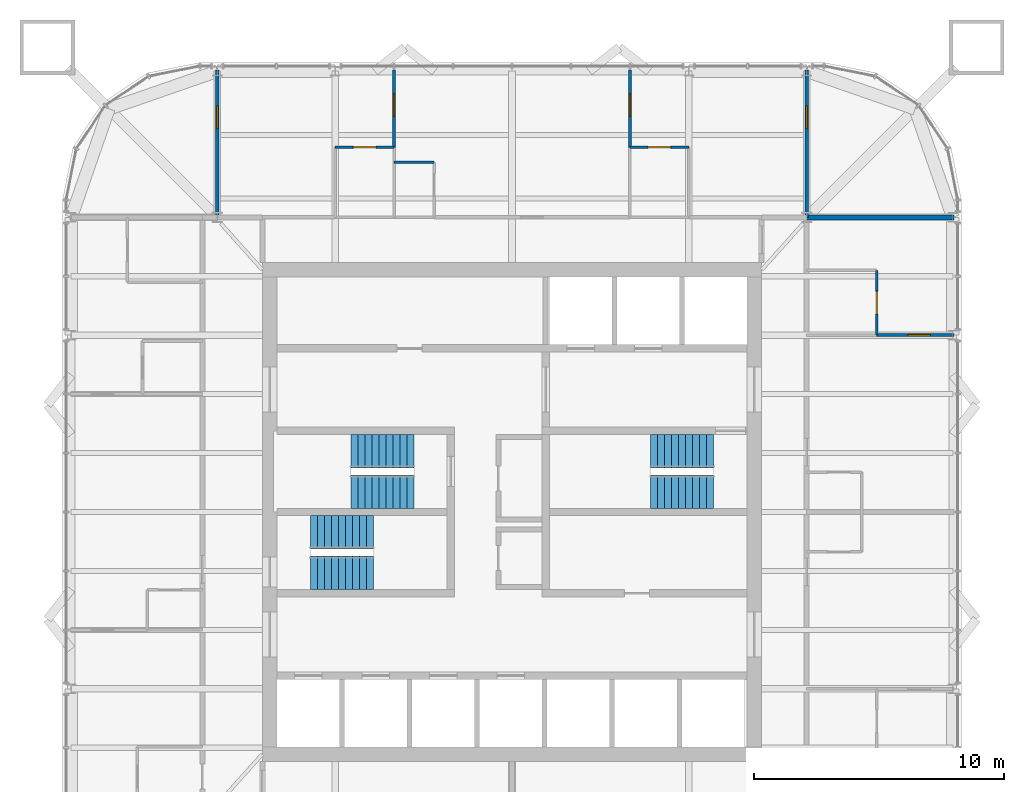
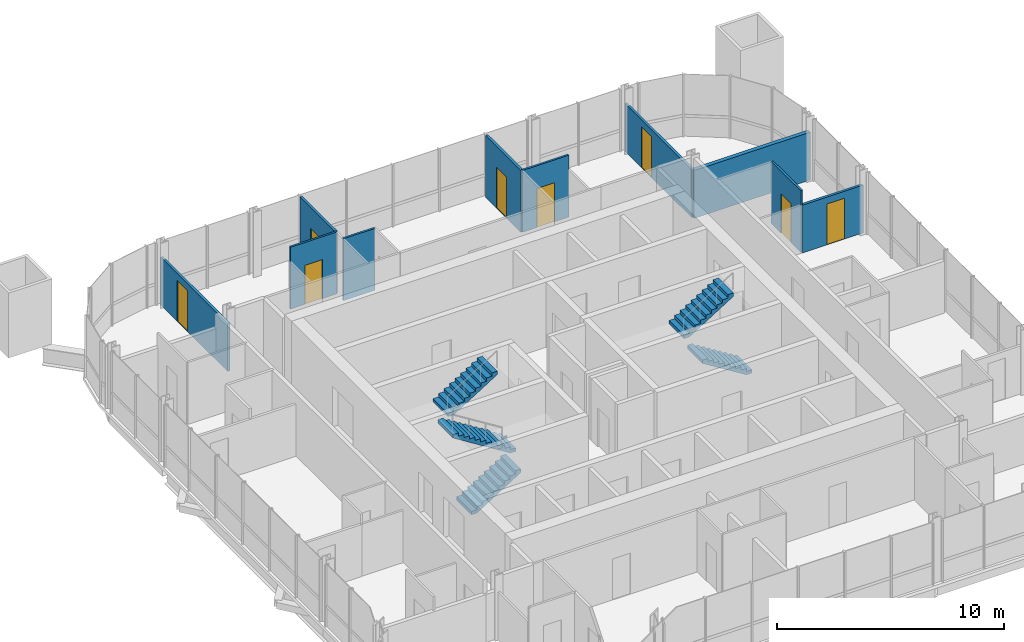
# One storey, part 16 of 17: 10 walls, 8 doors, 6 stair flights, 8 openings, 3 elements without a shape of their own.
"""IFC4 building model written with IfcOpenShell, lengths in metres."""

from ifc_helpers import new_model, si_unit, direction, frame, frame_2d, origin, place, context, subcontext, project, spatial, polyline, rectangle, outline, extrude, material, layer, layer_set, type_object, element, fill, aggregate, save


model = new_model("IFC4")

# Units and contexts
model_context = context("Model", 3, precision=1e-05, world=origin(), true_north=direction((0.0, 1.0)))
body_context = subcontext(model_context, "Body", "Model", "MODEL_VIEW")
ifc_project = project(units=[si_unit("LENGTHUNIT", "METRE"), si_unit("AREAUNIT", "SQUARE_METRE"), si_unit("VOLUMEUNIT", "CUBIC_METRE"), si_unit("PLANEANGLEUNIT", "RADIAN"), si_unit("MASSUNIT", "GRAM", prefix="KILO")], contexts=[model_context])

# Site, building, storey
site_placement = place(None, origin())
site = spatial("IfcSite", under=ifc_project, at=site_placement, CompositionType="ELEMENT")
building_placement = place(site_placement, origin())
building = spatial("IfcBuilding", under=site, at=building_placement, Name="Turquesa Mirador Hotel Tower", CompositionType="ELEMENT")
storey_placement = place(building_placement, frame((0.0, 0.0, 244.199951171875)))
storey = spatial("IfcBuildingStorey", under=building, at=storey_placement, Name="L66", CompositionType="ELEMENT", Elevation=244.199951171875)

# Wall
ifc_material_1 = material(Name="Gypsum board on steel studs", Category="steel")
ifc_layer_1 = layer(ifc_material_1, 0.10009765625)
ifc_layer_set_1 = layer_set([ifc_layer_1], Name="BATHROOM WALL 100")
wall_type_1 = type_object("IfcWallType", Name="BATHROOM WALL 100", PredefinedType="PARTITIONING", material=ifc_layer_set_1)
wall_1_placement = place(storey_placement, frame((50.280029296875, 59.0, 0.0), z_axis=(0.0, 0.0, 1.0), x_axis=(1.0, 0.0, 0.0)))
element("IfcWall", 1, at=wall_1_placement, inside=storey, type_object=wall_type_1, Name="Partition L66 032", PredefinedType="PARTITIONING", context=body_context, shape_type="SweptSolid", body=[
    extrude(rectangle(XDim=1.599853515625, YDim=0.10009765625, at=frame_2d((0.7998046875, 0.0))), origin(), (0.0, 0.0, 1.0), 3.330078125),
])

# Wall, opening, door
wall_2_placement = place(storey_placement, frame((47.919921875, 59.60009765625, 0.0), z_axis=(0.0, 0.0, 1.0), x_axis=(1.0, 0.0, 0.0)))
wall_2 = element("IfcWall", 2, at=wall_2_placement, inside=storey, type_object=wall_type_1, Name="Partition L66 033", PredefinedType="PARTITIONING", context=body_context, shape_type="SweptSolid", body=[
    extrude(rectangle(XDim=2.360107421875, YDim=0.10009765625, at=frame_2d((1.18017578125, 0.0))), origin(), (0.0, 0.0, 1.0), 3.330078125),
])
opening_1_placement = place(wall_2_placement, frame((0.72998046875, 0.0, 0.0)))
opening_1 = element("IfcOpeningElement", 3, at=opening_1_placement, cuts=wall_2, Name="Opening D02", PredefinedType="OPENING", context=body_context, shape_type="SweptSolid", body=[
    extrude(rectangle(XDim=0.89990234375, YDim=2.10009765625, at=frame_2d((0.449951171875, 1.050048828125))), frame((0.0, 0.06005859375, 0.0), z_axis=(0.0, -1.0, 0.0), x_axis=(1.0, 0.0, 0.0)), (0.0, 0.0, 1.0), 0.1201171875),
])
ifc_material_2 = material(Name="Timber veneered door", Category="wood")
door_type_1 = type_object("IfcDoorType", Name="DOOR 900X2100 EN-SUITE", OperationType="SINGLE_SWING_RIGHT", PredefinedType="DOOR", material=ifc_material_2)
door_1_placement = place(opening_1_placement, origin())
door_1 = element("IfcDoor", 4, at=door_1_placement, inside=storey, type_object=door_type_1, Name="Door 6601B", OperationType="SINGLE_SWING_RIGHT", OverallHeight=2.10009765625, OverallWidth=0.89990234375, PredefinedType="DOOR", context=body_context, shape_type="SweptSolid", body=[
    extrude(rectangle(XDim=0.89990234375, YDim=2.10009765625, at=frame_2d((0.449951171875, 1.050048828125))), frame((0.0, 0.02490234375, 0.0), z_axis=(0.0, -1.0, 0.0), x_axis=(1.0, 0.0, 0.0)), (0.0, 0.0, 1.0), 0.050048828125),
])
fill(opening_1, door_1)

wall_3_placement = place(storey_placement, frame((59.719970703125, 59.60009765625, 0.0), z_axis=(0.0, 0.0, 1.0), x_axis=(1.0, 0.0, 0.0)))
wall_3 = element("IfcWall", 5, at=wall_3_placement, inside=storey, type_object=wall_type_1, Name="Partition L66 034", PredefinedType="PARTITIONING", context=body_context, shape_type="SweptSolid", body=[
    extrude(rectangle(XDim=2.360107421875, YDim=0.10009765625, at=frame_2d((1.18017578125, 0.0))), origin(), (0.0, 0.0, 1.0), 3.330078125),
])
opening_2_placement = place(wall_3_placement, frame((0.72998046875, 0.0, 0.0)))
opening_2 = element("IfcOpeningElement", 6, at=opening_2_placement, cuts=wall_3, Name="Opening D02", PredefinedType="OPENING", context=body_context, shape_type="SweptSolid", body=[
    extrude(rectangle(XDim=0.89990234375, YDim=2.10009765625, at=frame_2d((0.449951171875, 1.050048828125))), frame((0.0, 0.06005859375, 0.0), z_axis=(0.0, -1.0, 0.0), x_axis=(1.0, 0.0, 0.0)), (0.0, 0.0, 1.0), 0.1201171875),
])
door_2_placement = place(opening_2_placement, origin())
door_2 = element("IfcDoor", 7, at=door_2_placement, inside=storey, type_object=door_type_1, Name="Door 6601E", OperationType="SINGLE_SWING_RIGHT", OverallHeight=2.10009765625, OverallWidth=0.89990234375, PredefinedType="DOOR", context=body_context, shape_type="SweptSolid", body=[
    extrude(rectangle(XDim=0.89990234375, YDim=2.10009765625, at=frame_2d((0.449951171875, 1.050048828125))), frame((0.0, 0.02490234375, 0.0), z_axis=(0.0, -1.0, 0.0), x_axis=(1.0, 0.0, 0.0)), (0.0, 0.0, 1.0), 0.050048828125),
])
fill(opening_2, door_2)

wall_4_placement = place(storey_placement, frame((69.60009765625, 52.080078125, 0.0), z_axis=(0.0, 0.0, 1.0), x_axis=(0.0, 1.0, 0.0)))
wall_4 = element("IfcWall", 8, at=wall_4_placement, inside=storey, type_object=wall_type_1, Name="Partition L66 066", PredefinedType="PARTITIONING", context=body_context, shape_type="SweptSolid", body=[
    extrude(rectangle(XDim=2.599853515625, YDim=0.10009765625, at=frame_2d((1.2998046875, 0.0))), origin(), (0.0, 0.0, 1.0), 3.330078125),
])
opening_3_placement = place(wall_4_placement, frame((0.85009765625, 0.0, 0.0)))
opening_3 = element("IfcOpeningElement", 9, at=opening_3_placement, cuts=wall_4, Name="Opening D02", PredefinedType="OPENING", context=body_context, shape_type="SweptSolid", body=[
    extrude(rectangle(XDim=0.89990234375, YDim=2.10009765625, at=frame_2d((0.449951171875, 1.050048828125))), frame((0.0, 0.06005859375, 0.0), z_axis=(0.0, -1.0, 0.0), x_axis=(1.0, 0.0, 0.0)), (0.0, 0.0, 1.0), 0.1201171875),
])
door_3_placement = place(opening_3_placement, origin())
door_3 = element("IfcDoor", 10, at=door_3_placement, inside=storey, type_object=door_type_1, Name="Door 6605B", OperationType="SINGLE_SWING_RIGHT", OverallHeight=2.10009765625, OverallWidth=0.89990234375, PredefinedType="DOOR", context=body_context, shape_type="SweptSolid", body=[
    extrude(rectangle(XDim=0.89990234375, YDim=2.10009765625, at=frame_2d((0.449951171875, 1.050048828125))), frame((0.0, 0.02490234375, 0.0), z_axis=(0.0, -1.0, 0.0), x_axis=(1.0, 0.0, 0.0)), (0.0, 0.0, 1.0), 0.050048828125),
])
fill(opening_3, door_3)

# Wall
ifc_material_3 = material(Name="Fire-rated gypsum board on steel studs", Category="steel")
ifc_layer_2 = layer(ifc_material_3, 0.199951171875)
ifc_layer_set_2 = layer_set([ifc_layer_2], Name="PARTY WALL 200")
wall_type_2 = type_object("IfcWallType", Name="PARTY WALL 200", PredefinedType="PARTITIONING", material=ifc_layer_set_2)
wall_5_placement = place(storey_placement, frame((66.800048828125, 56.800048828125, 0.0), z_axis=(0.0, 0.0, 1.0), x_axis=(1.0, 0.0, 0.0)))
element("IfcWall", 11, at=wall_5_placement, inside=storey, type_object=wall_type_2, Name="Partition L66 028", PredefinedType="PARTITIONING", context=body_context, shape_type="SweptSolid", body=[
    extrude(rectangle(XDim=5.89990234375, YDim=0.199951171875, at=frame_2d((2.949951171875, 0.0))), origin(), (0.0, 0.0, 1.0), 2.5732421875),
])

# Wall, opening, door
ifc_material_4 = material(Name="Acoustic gypsum board on steel studs", Category="steel")
ifc_layer_3 = layer(ifc_material_4, 0.125)
ifc_layer_set_3 = layer_set([ifc_layer_3], Name="SUITE PARTITION 125")
wall_type_3 = type_object("IfcWallType", Name="SUITE PARTITION 125", PredefinedType="PARTITIONING", material=ifc_layer_set_3)
wall_6_placement = place(storey_placement, frame((69.60009765625, 52.080078125, 0.0), z_axis=(0.0, 0.0, 1.0), x_axis=(1.0, 0.0, 0.0)))
wall_6 = element("IfcWall", 12, at=wall_6_placement, inside=storey, type_object=wall_type_3, Name="Partition L66 038", PredefinedType="PARTITIONING", context=body_context, shape_type="SweptSolid", body=[
    extrude(rectangle(XDim=3.099853515625, YDim=0.125, at=frame_2d((1.5498046875, 0.0))), origin(), (0.0, 0.0, 1.0), 2.5732421875),
])
opening_4_placement = place(wall_6_placement, frame((1.25, 0.0, 0.0)))
opening_4 = element("IfcOpeningElement", 13, at=opening_4_placement, cuts=wall_6, Name="Opening D17", PredefinedType="OPENING", context=body_context, shape_type="SweptSolid", body=[
    extrude(rectangle(XDim=0.89990234375, YDim=2.199951171875, at=frame_2d((0.449951171875, 1.10009765625))), frame((0.0, 0.072509765625, 0.0), z_axis=(0.0, -1.0, 0.0), x_axis=(1.0, 0.0, 0.0)), (0.0, 0.0, 1.0), 0.14501953125),
])
ifc_material_5 = material(Name="Timber veneered door", Category="wood")
door_type_2 = type_object("IfcDoorType", Name="DOOR 900X2200 SUITE INTERNAL", OperationType="SINGLE_SWING_LEFT", PredefinedType="DOOR", material=ifc_material_5)
door_4_placement = place(opening_4_placement, origin())
door_4 = element("IfcDoor", 14, at=door_4_placement, inside=storey, type_object=door_type_2, Name="Door 6605R", OperationType="SINGLE_SWING_LEFT", OverallHeight=2.199951171875, OverallWidth=0.89990234375, PredefinedType="DOOR", context=body_context, shape_type="SweptSolid", body=[
    extrude(rectangle(XDim=0.89990234375, YDim=2.199951171875, at=frame_2d((0.449951171875, 1.10009765625))), frame((0.0, 0.02490234375, 0.0), z_axis=(0.0, -1.0, 0.0), x_axis=(1.0, 0.0, 0.0)), (0.0, 0.0, 1.0), 0.050048828125),
])
fill(opening_4, door_4)

wall_7_placement = place(storey_placement, frame((43.199951171875, 56.800048828125, 0.0), z_axis=(0.0, 0.0, 1.0), x_axis=(0.0, 1.0, 0.0)))
wall_7 = element("IfcWall", 15, at=wall_7_placement, inside=storey, type_object=wall_type_3, Name="Partition L66 045", PredefinedType="PARTITIONING", context=body_context, shape_type="SweptSolid", body=[
    extrude(rectangle(XDim=5.89990234375, YDim=0.125, at=frame_2d((2.949951171875, 0.0))), origin(), (0.0, 0.0, 1.0), 2.5732421875),
])
opening_5_placement = place(wall_7_placement, frame((3.550048828125, 0.0, 0.0)))
opening_5 = element("IfcOpeningElement", 16, at=opening_5_placement, cuts=wall_7, Name="Opening D17", PredefinedType="OPENING", context=body_context, shape_type="SweptSolid", body=[
    extrude(rectangle(XDim=0.89990234375, YDim=2.199951171875, at=frame_2d((0.449951171875, 1.10009765625))), frame((0.0, 0.072509765625, 0.0), z_axis=(0.0, -1.0, 0.0), x_axis=(1.0, 0.0, 0.0)), (0.0, 0.0, 1.0), 0.14501953125),
])
door_5_placement = place(opening_5_placement, origin())
door_5 = element("IfcDoor", 17, at=door_5_placement, inside=storey, type_object=door_type_2, Name="Door 6601T", OperationType="SINGLE_SWING_LEFT", OverallHeight=2.199951171875, OverallWidth=0.89990234375, PredefinedType="DOOR", context=body_context, shape_type="SweptSolid", body=[
    extrude(rectangle(XDim=0.89990234375, YDim=2.199951171875, at=frame_2d((0.449951171875, 1.10009765625))), frame((0.0, 0.02490234375, 0.0), z_axis=(0.0, -1.0, 0.0), x_axis=(1.0, 0.0, 0.0)), (0.0, 0.0, 1.0), 0.050048828125),
])
fill(opening_5, door_5)

wall_8_placement = place(storey_placement, frame((50.280029296875, 59.60009765625, 0.0), z_axis=(0.0, 0.0, 1.0), x_axis=(0.0, 1.0, 0.0)))
wall_8 = element("IfcWall", 18, at=wall_8_placement, inside=storey, type_object=wall_type_3, Name="Partition L66 053", PredefinedType="PARTITIONING", context=body_context, shape_type="SweptSolid", body=[
    extrude(rectangle(XDim=3.099853515625, YDim=0.125, at=frame_2d((1.5498046875, 0.0))), origin(), (0.0, 0.0, 1.0), 3.330078125),
])
opening_6_placement = place(wall_8_placement, frame((1.25, 0.0, 0.0)))
opening_6 = element("IfcOpeningElement", 19, at=opening_6_placement, cuts=wall_8, Name="Opening D17", PredefinedType="OPENING", context=body_context, shape_type="SweptSolid", body=[
    extrude(rectangle(XDim=0.89990234375, YDim=2.199951171875, at=frame_2d((0.449951171875, 1.10009765625))), frame((0.0, 0.072509765625, 0.0), z_axis=(0.0, -1.0, 0.0), x_axis=(1.0, 0.0, 0.0)), (0.0, 0.0, 1.0), 0.14501953125),
])
door_6_placement = place(opening_6_placement, origin())
door_6 = element("IfcDoor", 20, at=door_6_placement, inside=storey, type_object=door_type_2, Name="Door 6601R", OperationType="SINGLE_SWING_LEFT", OverallHeight=2.199951171875, OverallWidth=0.89990234375, PredefinedType="DOOR", context=body_context, shape_type="SweptSolid", body=[
    extrude(rectangle(XDim=0.89990234375, YDim=2.199951171875, at=frame_2d((0.449951171875, 1.10009765625))), frame((0.0, 0.02490234375, 0.0), z_axis=(0.0, -1.0, 0.0), x_axis=(1.0, 0.0, 0.0)), (0.0, 0.0, 1.0), 0.050048828125),
])
fill(opening_6, door_6)

wall_9_placement = place(storey_placement, frame((66.800048828125, 56.800048828125, 0.0), z_axis=(0.0, 0.0, 1.0), x_axis=(0.0, 1.0, 0.0)))
wall_9 = element("IfcWall", 21, at=wall_9_placement, inside=storey, type_object=wall_type_3, Name="Partition L66 063", PredefinedType="PARTITIONING", context=body_context, shape_type="SweptSolid", body=[
    extrude(rectangle(XDim=5.89990234375, YDim=0.125, at=frame_2d((2.949951171875, 0.0))), origin(), (0.0, 0.0, 1.0), 2.5732421875),
])
opening_7_placement = place(wall_9_placement, frame((3.550048828125, 0.0, 0.0)))
opening_7 = element("IfcOpeningElement", 22, at=opening_7_placement, cuts=wall_9, Name="Opening D17", PredefinedType="OPENING", context=body_context, shape_type="SweptSolid", body=[
    extrude(rectangle(XDim=0.89990234375, YDim=2.199951171875, at=frame_2d((0.449951171875, 1.10009765625))), frame((0.0, 0.072509765625, 0.0), z_axis=(0.0, -1.0, 0.0), x_axis=(1.0, 0.0, 0.0)), (0.0, 0.0, 1.0), 0.14501953125),
])
door_7_placement = place(opening_7_placement, origin())
door_7 = element("IfcDoor", 23, at=door_7_placement, inside=storey, type_object=door_type_2, Name="Door 6601U", OperationType="SINGLE_SWING_LEFT", OverallHeight=2.199951171875, OverallWidth=0.89990234375, PredefinedType="DOOR", context=body_context, shape_type="SweptSolid", body=[
    extrude(rectangle(XDim=0.89990234375, YDim=2.199951171875, at=frame_2d((0.449951171875, 1.10009765625))), frame((0.0, 0.02490234375, 0.0), z_axis=(0.0, -1.0, 0.0), x_axis=(1.0, 0.0, 0.0)), (0.0, 0.0, 1.0), 0.050048828125),
])
fill(opening_7, door_7)

wall_10_placement = place(storey_placement, frame((59.719970703125, 59.60009765625, 0.0), z_axis=(0.0, 0.0, 1.0), x_axis=(0.0, 1.0, 0.0)))
wall_10 = element("IfcWall", 24, at=wall_10_placement, inside=storey, type_object=wall_type_3, Name="Partition L66 068", PredefinedType="PARTITIONING", context=body_context, shape_type="SweptSolid", body=[
    extrude(rectangle(XDim=3.099853515625, YDim=0.125, at=frame_2d((1.5498046875, 0.0))), origin(), (0.0, 0.0, 1.0), 3.330078125),
])
opening_8_placement = place(wall_10_placement, frame((1.25, 0.0, 0.0)))
opening_8 = element("IfcOpeningElement", 25, at=opening_8_placement, cuts=wall_10, Name="Opening D17", PredefinedType="OPENING", context=body_context, shape_type="SweptSolid", body=[
    extrude(rectangle(XDim=0.89990234375, YDim=2.199951171875, at=frame_2d((0.449951171875, 1.10009765625))), frame((0.0, 0.072509765625, 0.0), z_axis=(0.0, -1.0, 0.0), x_axis=(1.0, 0.0, 0.0)), (0.0, 0.0, 1.0), 0.14501953125),
])
door_8_placement = place(opening_8_placement, origin())
door_8 = element("IfcDoor", 26, at=door_8_placement, inside=storey, type_object=door_type_2, Name="Door 6601S", OperationType="SINGLE_SWING_LEFT", OverallHeight=2.199951171875, OverallWidth=0.89990234375, PredefinedType="DOOR", context=body_context, shape_type="SweptSolid", body=[
    extrude(rectangle(XDim=0.89990234375, YDim=2.199951171875, at=frame_2d((0.449951171875, 1.10009765625))), frame((0.0, 0.02490234375, 0.0), z_axis=(0.0, -1.0, 0.0), x_axis=(1.0, 0.0, 0.0)), (0.0, 0.0, 1.0), 0.050048828125),
])
fill(opening_8, door_8)

# Stair, stair flights
ifc_material_6 = material(Name="Concrete C35/45", Category="concrete")
stair_type = type_object("IfcStairType", Name="ESCAPE STAIR CORE", PredefinedType="HALF_TURN_STAIR", material=ifc_material_6)
stair_1_placement = place(storey_placement, origin())
stair_1 = element("IfcStair", 27, at=stair_1_placement, inside=storey, type_object=stair_type, Name="Stair ST1 L66 to L67", PredefinedType="HALF_TURN_STAIR")
ifc_material_7 = material(Name="Concrete C35/45 precast flight", Category="concrete")
stair_flight_type = type_object("IfcStairFlightType", Name="STAIR FLIGHT 1330", PredefinedType="STRAIGHT", material=ifc_material_7)
stair_flight_1_placement = place(storey_placement, frame((51.070068359375, 45.81494140625, 0.0), z_axis=(0.0, 0.0, 1.0), x_axis=(-1.0, 0.0, 0.0)))
stair_flight_1 = element("IfcStairFlight", 28, at=stair_flight_1_placement, type_object=stair_flight_type, Name="ST1 flight 1", NumberOfRisers=10, NumberOfTreads=9, PredefinedType="STRAIGHT", RiserHeight=0.175, TreadLength=0.28, context=body_context, shape_type="SweptSolid", body=[
    extrude(outline(polyline([(0.0, 0.0), (0.0, 0.175048828125), (0.280029296875, 0.175048828125), (0.280029296875, 0.35009765625), (0.56005859375, 0.35009765625), (0.56005859375, 0.52490234375), (0.840087890625, 0.52490234375), (0.840087890625, 0.699951171875), (1.1201171875, 0.699951171875), (1.1201171875, 0.875), (1.39990234375, 0.875), (1.39990234375, 1.050048828125), (1.679931640625, 1.050048828125), (1.679931640625, 1.22509765625), (1.9599609375, 1.22509765625), (1.9599609375, 1.39990234375), (2.239990234375, 1.39990234375), (2.239990234375, 1.574951171875), (2.52001953125, 1.574951171875), (2.52001953125, 1.75), (2.52001953125, 1.398193359375), (0.28271484375, 0.0), (0.0, 0.0)])), frame((0.0, 0.6650390625, 0.0), z_axis=(0.0, -1.0, 0.0), x_axis=(1.0, 0.0, 0.0)), (0.0, 0.0, 1.0), 1.330078125),
])
stair_flight_2_placement = place(storey_placement, frame((48.550048828125, 47.43505859375, 1.75), z_axis=(0.0, 0.0, 1.0), x_axis=(1.0, 0.0, 0.0)))
stair_flight_2 = element("IfcStairFlight", 29, at=stair_flight_2_placement, type_object=stair_flight_type, Name="ST1 flight 2", NumberOfRisers=10, NumberOfTreads=9, PredefinedType="STRAIGHT", RiserHeight=0.175, TreadLength=0.28, context=body_context, shape_type="SweptSolid", body=[
    extrude(outline(polyline([(0.0, 0.0), (0.0, 0.175048828125), (0.280029296875, 0.175048828125), (0.280029296875, 0.35009765625), (0.56005859375, 0.35009765625), (0.56005859375, 0.52490234375), (0.840087890625, 0.52490234375), (0.840087890625, 0.699951171875), (1.1201171875, 0.699951171875), (1.1201171875, 0.875), (1.39990234375, 0.875), (1.39990234375, 1.050048828125), (1.679931640625, 1.050048828125), (1.679931640625, 1.22509765625), (1.9599609375, 1.22509765625), (1.9599609375, 1.39990234375), (2.239990234375, 1.39990234375), (2.239990234375, 1.574951171875), (2.52001953125, 1.574951171875), (2.52001953125, 1.75), (2.52001953125, 1.398193359375), (0.28271484375, 0.0), (0.0, 0.0)])), frame((0.0, 0.6650390625, 0.0), z_axis=(0.0, -1.0, 0.0), x_axis=(1.0, 0.0, 0.0)), (0.0, 0.0, 1.0), 1.330078125),
])
aggregate(stair_1, [stair_flight_1, stair_flight_2])

stair_2_placement = place(storey_placement, origin())
stair_2 = element("IfcStair", 30, at=stair_2_placement, inside=storey, type_object=stair_type, Name="Stair ST2 L66 to L67", PredefinedType="HALF_TURN_STAIR")
stair_flight_3_placement = place(storey_placement, frame((46.929931640625, 42.56494140625, 0.0), z_axis=(0.0, 0.0, 1.0), x_axis=(1.0, 0.0, 0.0)))
stair_flight_3 = element("IfcStairFlight", 31, at=stair_flight_3_placement, type_object=stair_flight_type, Name="ST2 flight 1", NumberOfRisers=10, NumberOfTreads=9, PredefinedType="STRAIGHT", RiserHeight=0.175, TreadLength=0.28, context=body_context, shape_type="SweptSolid", body=[
    extrude(outline(polyline([(0.0, 0.0), (0.0, 0.175048828125), (0.280029296875, 0.175048828125), (0.280029296875, 0.35009765625), (0.56005859375, 0.35009765625), (0.56005859375, 0.52490234375), (0.840087890625, 0.52490234375), (0.840087890625, 0.699951171875), (1.1201171875, 0.699951171875), (1.1201171875, 0.875), (1.39990234375, 0.875), (1.39990234375, 1.050048828125), (1.679931640625, 1.050048828125), (1.679931640625, 1.22509765625), (1.9599609375, 1.22509765625), (1.9599609375, 1.39990234375), (2.239990234375, 1.39990234375), (2.239990234375, 1.574951171875), (2.52001953125, 1.574951171875), (2.52001953125, 1.75), (2.52001953125, 1.398193359375), (0.28271484375, 0.0), (0.0, 0.0)])), frame((0.0, 0.6650390625, 0.0), z_axis=(0.0, -1.0, 0.0), x_axis=(1.0, 0.0, 0.0)), (0.0, 0.0, 1.0), 1.330078125),
])
stair_flight_4_placement = place(storey_placement, frame((49.449951171875, 44.18505859375, 1.75), z_axis=(0.0, 0.0, 1.0), x_axis=(-1.0, 0.0, 0.0)))
stair_flight_4 = element("IfcStairFlight", 32, at=stair_flight_4_placement, type_object=stair_flight_type, Name="ST2 flight 2", NumberOfRisers=10, NumberOfTreads=9, PredefinedType="STRAIGHT", RiserHeight=0.175, TreadLength=0.28, context=body_context, shape_type="SweptSolid", body=[
    extrude(outline(polyline([(0.0, 0.0), (0.0, 0.175048828125), (0.280029296875, 0.175048828125), (0.280029296875, 0.35009765625), (0.56005859375, 0.35009765625), (0.56005859375, 0.52490234375), (0.840087890625, 0.52490234375), (0.840087890625, 0.699951171875), (1.1201171875, 0.699951171875), (1.1201171875, 0.875), (1.39990234375, 0.875), (1.39990234375, 1.050048828125), (1.679931640625, 1.050048828125), (1.679931640625, 1.22509765625), (1.9599609375, 1.22509765625), (1.9599609375, 1.39990234375), (2.239990234375, 1.39990234375), (2.239990234375, 1.574951171875), (2.52001953125, 1.574951171875), (2.52001953125, 1.75), (2.52001953125, 1.398193359375), (0.28271484375, 0.0), (0.0, 0.0)])), frame((0.0, 0.6650390625, 0.0), z_axis=(0.0, -1.0, 0.0), x_axis=(1.0, 0.0, 0.0)), (0.0, 0.0, 1.0), 1.330078125),
])
aggregate(stair_2, [stair_flight_3, stair_flight_4])

stair_3_placement = place(storey_placement, origin())
stair_3 = element("IfcStair", 33, at=stair_3_placement, inside=storey, type_object=stair_type, Name="Stair ST3 L66 to L67", PredefinedType="HALF_TURN_STAIR")
stair_flight_5_placement = place(storey_placement, frame((63.070068359375, 45.81494140625, 0.0), z_axis=(0.0, 0.0, 1.0), x_axis=(-1.0, 0.0, 0.0)))
stair_flight_5 = element("IfcStairFlight", 34, at=stair_flight_5_placement, type_object=stair_flight_type, Name="ST3 flight 1", NumberOfRisers=10, NumberOfTreads=9, PredefinedType="STRAIGHT", RiserHeight=0.175, TreadLength=0.28, context=body_context, shape_type="SweptSolid", body=[
    extrude(outline(polyline([(0.0, 0.0), (0.0, 0.175048828125), (0.280029296875, 0.175048828125), (0.280029296875, 0.35009765625), (0.56005859375, 0.35009765625), (0.56005859375, 0.52490234375), (0.840087890625, 0.52490234375), (0.840087890625, 0.699951171875), (1.1201171875, 0.699951171875), (1.1201171875, 0.875), (1.39990234375, 0.875), (1.39990234375, 1.050048828125), (1.679931640625, 1.050048828125), (1.679931640625, 1.22509765625), (1.9599609375, 1.22509765625), (1.9599609375, 1.39990234375), (2.239990234375, 1.39990234375), (2.239990234375, 1.574951171875), (2.52001953125, 1.574951171875), (2.52001953125, 1.75), (2.52001953125, 1.398193359375), (0.28271484375, 0.0), (0.0, 0.0)])), frame((0.0, 0.6650390625, 0.0), z_axis=(0.0, -1.0, 0.0), x_axis=(1.0, 0.0, 0.0)), (0.0, 0.0, 1.0), 1.330078125),
])
stair_flight_6_placement = place(storey_placement, frame((60.550048828125, 47.43505859375, 1.75), z_axis=(0.0, 0.0, 1.0), x_axis=(1.0, 0.0, 0.0)))
stair_flight_6 = element("IfcStairFlight", 35, at=stair_flight_6_placement, type_object=stair_flight_type, Name="ST3 flight 2", NumberOfRisers=10, NumberOfTreads=9, PredefinedType="STRAIGHT", RiserHeight=0.175, TreadLength=0.28, context=body_context, shape_type="SweptSolid", body=[
    extrude(outline(polyline([(0.0, 0.0), (0.0, 0.175048828125), (0.280029296875, 0.175048828125), (0.280029296875, 0.35009765625), (0.56005859375, 0.35009765625), (0.56005859375, 0.52490234375), (0.840087890625, 0.52490234375), (0.840087890625, 0.699951171875), (1.1201171875, 0.699951171875), (1.1201171875, 0.875), (1.39990234375, 0.875), (1.39990234375, 1.050048828125), (1.679931640625, 1.050048828125), (1.679931640625, 1.22509765625), (1.9599609375, 1.22509765625), (1.9599609375, 1.39990234375), (2.239990234375, 1.39990234375), (2.239990234375, 1.574951171875), (2.52001953125, 1.574951171875), (2.52001953125, 1.75), (2.52001953125, 1.398193359375), (0.28271484375, 0.0), (0.0, 0.0)])), frame((0.0, 0.6650390625, 0.0), z_axis=(0.0, -1.0, 0.0), x_axis=(1.0, 0.0, 0.0)), (0.0, 0.0, 1.0), 1.330078125),
])
aggregate(stair_3, [stair_flight_5, stair_flight_6])

save(model, "model.ifc")
